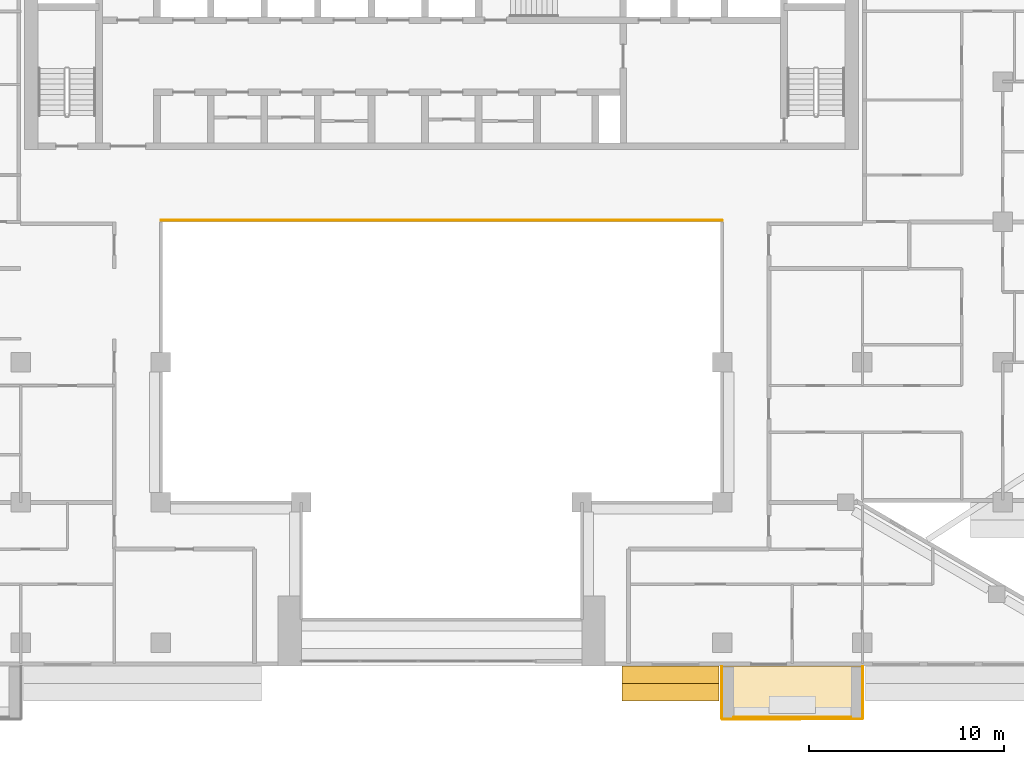
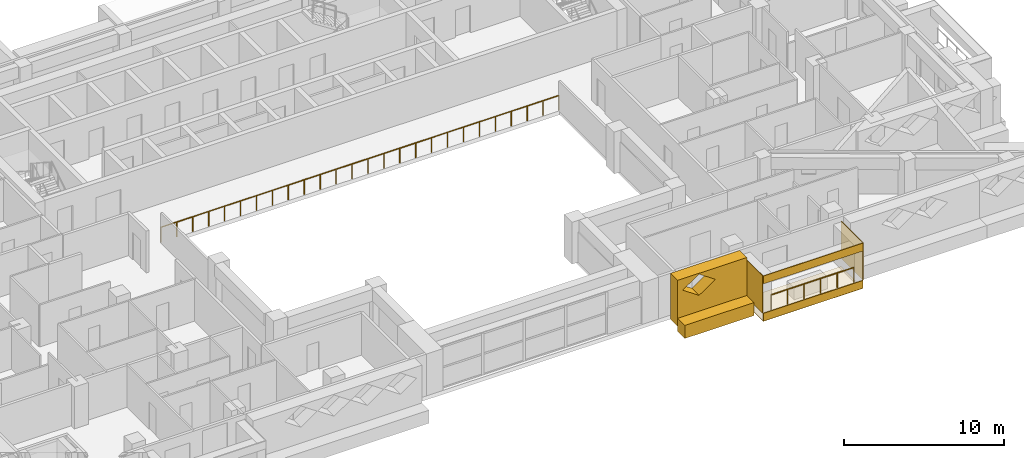
# One storey, part 16 of 20: 7 coverings, 2 railings.
"""IFC4 building model written with IfcOpenShell, lengths in metres."""

from ifc_helpers import new_model, si_unit, direction, frame, origin, origin_2d, place, context, subcontext, project, spatial, polyline, circle, outline, extrude, material, layer, layer_set, type_object, element, save


model = new_model("IFC4")

# Units and contexts
model_context = context("Model", 3, precision=1e-05, world=origin(), true_north=direction((0.0, 1.0)))
body_context = subcontext(model_context, "Body", "Model", "MODEL_VIEW")
ifc_project = project(units=[si_unit("LENGTHUNIT", "METRE"), si_unit("AREAUNIT", "SQUARE_METRE"), si_unit("VOLUMEUNIT", "CUBIC_METRE"), si_unit("PLANEANGLEUNIT", "RADIAN"), si_unit("MASSUNIT", "GRAM", prefix="KILO")], contexts=[model_context])

# Site, building, storey
site_placement = place(None, origin())
site = spatial("IfcSite", under=ifc_project, at=site_placement, CompositionType="ELEMENT")
building_placement = place(site_placement, origin())
building = spatial("IfcBuilding", under=site, at=building_placement, Name="Saffron Iwan Residences", CompositionType="ELEMENT")
storey_placement = place(building_placement, frame((0.0, 0.0, 167.5)))
storey = spatial("IfcBuildingStorey", under=building, at=storey_placement, Name="L44", CompositionType="ELEMENT", Elevation=167.5)

# Railings
ifc_material_1 = material(Name="Stainless steel 316", Category="steel")
railing_type_1 = type_object("IfcRailingType", Name="Atrium guard 1150", PredefinedType="GUARDRAIL", material=ifc_material_1)
railing_1_placement = place(storey_placement, frame((36.0, 62.47509765625, 0.0)))
element("IfcRailing", 1, at=railing_1_placement, inside=storey, type_object=railing_type_1, Name="Atrium guard L44", PredefinedType="GUARDRAIL", context=body_context, shape_type="SweptSolid", body=[
    extrude(circle(Radius=0.02392578125, at=origin_2d()), frame((0.0, 0.0, 1.1259765625), z_axis=(1.0, 0.0, 0.0), x_axis=(0.0, 1.0, 0.0)), (0.0, 0.0, 1.0), 28.800048828125),
    extrude(circle(Radius=0.02099609375, at=origin_2d()), origin(), (0.0, 0.0, 1.0), 1.101806640625),
    extrude(circle(Radius=0.02099609375, at=origin_2d()), frame((1.152099609375, 0.0, 0.0)), (0.0, 0.0, 1.0), 1.101806640625),
    extrude(circle(Radius=0.02099609375, at=origin_2d()), frame((2.303955078125, 0.0, 0.0)), (0.0, 0.0, 1.0), 1.101806640625),
    extrude(circle(Radius=0.02099609375, at=origin_2d()), frame((3.4560546875, 0.0, 0.0)), (0.0, 0.0, 1.0), 1.101806640625),
    extrude(circle(Radius=0.02099609375, at=origin_2d()), frame((4.60791015625, 0.0, 0.0)), (0.0, 0.0, 1.0), 1.101806640625),
    extrude(circle(Radius=0.02099609375, at=origin_2d()), frame((5.760009765625, 0.0, 0.0)), (0.0, 0.0, 1.0), 1.101806640625),
    extrude(circle(Radius=0.02099609375, at=origin_2d()), frame((6.912109375, 0.0, 0.0)), (0.0, 0.0, 1.0), 1.101806640625),
    extrude(circle(Radius=0.02099609375, at=origin_2d()), frame((8.06396484375, 0.0, 0.0)), (0.0, 0.0, 1.0), 1.101806640625),
    extrude(circle(Radius=0.02099609375, at=origin_2d()), frame((9.216064453125, 0.0, 0.0)), (0.0, 0.0, 1.0), 1.101806640625),
    extrude(circle(Radius=0.02099609375, at=origin_2d()), frame((10.367919921875, 0.0, 0.0)), (0.0, 0.0, 1.0), 1.101806640625),
    extrude(circle(Radius=0.02099609375, at=origin_2d()), frame((11.52001953125, 0.0, 0.0)), (0.0, 0.0, 1.0), 1.101806640625),
    extrude(circle(Radius=0.02099609375, at=origin_2d()), frame((12.672119140625, 0.0, 0.0)), (0.0, 0.0, 1.0), 1.101806640625),
    extrude(circle(Radius=0.02099609375, at=origin_2d()), frame((13.823974609375, 0.0, 0.0)), (0.0, 0.0, 1.0), 1.101806640625),
    extrude(circle(Radius=0.02099609375, at=origin_2d()), frame((14.97607421875, 0.0, 0.0)), (0.0, 0.0, 1.0), 1.101806640625),
    extrude(circle(Radius=0.02099609375, at=origin_2d()), frame((16.1279296875, 0.0, 0.0)), (0.0, 0.0, 1.0), 1.101806640625),
    extrude(circle(Radius=0.02099609375, at=origin_2d()), frame((17.280029296875, 0.0, 0.0)), (0.0, 0.0, 1.0), 1.101806640625),
    extrude(circle(Radius=0.02099609375, at=origin_2d()), frame((18.43212890625, 0.0, 0.0)), (0.0, 0.0, 1.0), 1.101806640625),
    extrude(circle(Radius=0.02099609375, at=origin_2d()), frame((19.583984375, 0.0, 0.0)), (0.0, 0.0, 1.0), 1.101806640625),
    extrude(circle(Radius=0.02099609375, at=origin_2d()), frame((20.736083984375, 0.0, 0.0)), (0.0, 0.0, 1.0), 1.101806640625),
    extrude(circle(Radius=0.02099609375, at=origin_2d()), frame((21.887939453125, 0.0, 0.0)), (0.0, 0.0, 1.0), 1.101806640625),
    extrude(circle(Radius=0.02099609375, at=origin_2d()), frame((23.0400390625, 0.0, 0.0)), (0.0, 0.0, 1.0), 1.101806640625),
    extrude(circle(Radius=0.02099609375, at=origin_2d()), frame((24.192138671875, 0.0, 0.0)), (0.0, 0.0, 1.0), 1.101806640625),
    extrude(circle(Radius=0.02099609375, at=origin_2d()), frame((25.343994140625, 0.0, 0.0)), (0.0, 0.0, 1.0), 1.101806640625),
    extrude(circle(Radius=0.02099609375, at=origin_2d()), frame((26.49609375, 0.0, 0.0)), (0.0, 0.0, 1.0), 1.101806640625),
    extrude(circle(Radius=0.02099609375, at=origin_2d()), frame((27.64794921875, 0.0, 0.0)), (0.0, 0.0, 1.0), 1.101806640625),
    extrude(circle(Radius=0.02099609375, at=origin_2d()), frame((28.800048828125, 0.0, 0.0)), (0.0, 0.0, 1.0), 1.101806640625),
])
railing_type_2 = type_object("IfcRailingType", Name="BALCONY GUARD 1150", PredefinedType="GUARDRAIL", material=ifc_material_1)
railing_2_placement = place(storey_placement, frame((65.39990234375, 36.97509765625, 0.0)))
element("IfcRailing", 2, at=railing_2_placement, inside=storey, type_object=railing_type_2, Name="Balcony guard L44 11-1", PredefinedType="GUARDRAIL", context=body_context, shape_type="SweptSolid", body=[
    extrude(circle(Radius=0.02392578125, at=origin_2d()), frame((0.0, 0.0, 1.1259765625), z_axis=(1.0, 0.0, 0.0), x_axis=(0.0, 1.0, 0.0)), (0.0, 0.0, 1.0), 6.0),
    extrude(circle(Radius=0.02099609375, at=origin_2d()), origin(), (0.0, 0.0, 1.0), 1.101806640625),
    extrude(circle(Radius=0.02099609375, at=origin_2d()), frame((1.199951171875, 0.0, 0.0)), (0.0, 0.0, 1.0), 1.101806640625),
    extrude(circle(Radius=0.02099609375, at=origin_2d()), frame((2.39990234375, 0.0, 0.0)), (0.0, 0.0, 1.0), 1.101806640625),
    extrude(circle(Radius=0.02099609375, at=origin_2d()), frame((3.60009765625, 0.0, 0.0)), (0.0, 0.0, 1.0), 1.101806640625),
    extrude(circle(Radius=0.02099609375, at=origin_2d()), frame((4.800048828125, 0.0, 0.0)), (0.0, 0.0, 1.0), 1.101806640625),
    extrude(circle(Radius=0.02099609375, at=origin_2d()), frame((6.0, 0.0, 0.0)), (0.0, 0.0, 1.0), 1.101806640625),
])

# Coverings
ifc_material_2 = material(Name="Precast concrete C40/50 white painted", Category="concrete")
ifc_layer_1 = layer(ifc_material_2, 0.050048828125)
ifc_layer_set_1 = layer_set([ifc_layer_1], Name="Precast concrete C40/50 white painted")
covering_type_1 = type_object("IfcCoveringType", Name="FRAME SKIN PRECAST WHITE 50", PredefinedType="CLADDING", material=ifc_layer_set_1)
for number, where, name in (
    (3, (0.0, 0.0, -0.60009765625), "Frame skin slab edge L44 11-1"),
    (4, (0.0, 0.0, 2.25), "Frame skin fascia L44 11-1"),
):
    element("IfcCovering", number, at=place(storey_placement, frame(where)), inside=storey, type_object=covering_type_1, Name=name, PredefinedType="CLADDING", context=body_context, shape_type="SweptSolid", body=[
        extrude(outline(polyline([(64.800048828125, 36.85009765625), (72.0, 36.85009765625), (72.0, 36.89990234375), (64.800048828125, 36.89990234375), (64.800048828125, 36.85009765625)])), origin(), (0.0, 0.0, 1.0), 0.60009765625),
    ])
covering_1_placement = place(storey_placement, frame((0.0, 0.0, -0.64990234375)))
element("IfcCovering", 5, at=covering_1_placement, inside=storey, type_object=covering_type_1, Name="Frame skin soffit L44 11-1", PredefinedType="CLADDING", context=body_context, shape_type="SweptSolid", body=[
    extrude(outline(polyline([(64.800048828125, 36.89990234375), (72.0, 36.89990234375), (72.0, 39.60009765625), (64.800048828125, 39.60009765625), (64.800048828125, 36.89990234375)])), origin(), (0.0, 0.0, 1.0), 0.0498046875),
])
covering_2_placement = place(storey_placement, origin())
element("IfcCovering", 6, at=covering_2_placement, inside=storey, type_object=covering_type_1, Name="Frame skin fin L44 11-1a", PredefinedType="CLADDING", context=body_context, shape_type="SweptSolid", body=[
    extrude(outline(polyline([(64.75, 36.89990234375), (64.800048828125, 36.89990234375), (64.800048828125, 39.60009765625), (64.75, 39.60009765625), (64.75, 36.89990234375)])), origin(), (0.0, 0.0, 1.0), 2.85009765625),
])
covering_3_placement = place(storey_placement, origin())
element("IfcCovering", 7, at=covering_3_placement, inside=storey, type_object=covering_type_1, Name="Frame skin fin L44 11-1b", PredefinedType="CLADDING", context=body_context, shape_type="SweptSolid", body=[
    extrude(outline(polyline([(72.0, 36.89990234375), (72.050048828125, 36.89990234375), (72.050048828125, 39.60009765625), (72.0, 39.60009765625), (72.0, 36.89990234375)])), origin(), (0.0, 0.0, 1.0), 2.85009765625),
])
ifc_material_3 = material(Name="Precast concrete C40/50", Category="concrete")
covering_type_2 = type_object("IfcCoveringType", Name="OUTER SKIN LATTICE SCREEN", PredefinedType="CLADDING", material=ifc_material_3)
covering_4_placement = place(storey_placement, frame((59.64990234375, 39.60009765625, -0.300048828125), z_axis=(0.0, -1.0, 0.0), x_axis=(1.0, 0.0, 0.0)))
element("IfcCovering", 8, at=covering_4_placement, inside=storey, type_object=covering_type_2, Name="OUTER SKIN lattice screen L44 F11.2", PredefinedType="CLADDING", context=body_context, shape_type="SweptSolid", body=[
    extrude(outline(polyline([(0.0, 0.0), (5.0, 0.0), (5.0, 3.5), (0.0, 3.5), (0.0, 0.0)]), holes=[polyline([(0.3701171875, 2.625), (1.550048828125, 1.81005859375), (2.72998046875, 2.625), (1.550048828125, 3.43994140625), (0.3701171875, 2.625)])]), origin(), (0.0, 0.0, 1.0), 0.900146484375),
])
ifc_layer_2 = layer(ifc_material_2, 0.89990234375)
ifc_layer_set_2 = layer_set([ifc_layer_2], Name="Precast concrete C40/50 white painted")
covering_type_3 = type_object("IfcCoveringType", Name="WHITE EDGE BAND 900 x 1000", PredefinedType="CLADDING", material=ifc_layer_set_2)
covering_5_placement = place(storey_placement, frame((0.0, 0.0, -0.699951171875)))
element("IfcCovering", 9, at=covering_5_placement, inside=storey, type_object=covering_type_3, Name="White edge band L44 F11.2", PredefinedType="CLADDING", context=body_context, shape_type="SweptSolid", body=[
    extrude(outline(polyline([(59.64990234375, 37.800048828125), (64.64990234375, 37.800048828125), (64.64990234375, 38.699951171875), (59.64990234375, 38.699951171875), (59.64990234375, 37.800048828125)])), origin(), (0.0, 0.0, 1.0), 1.0),
])

save(model, "model.ifc")
